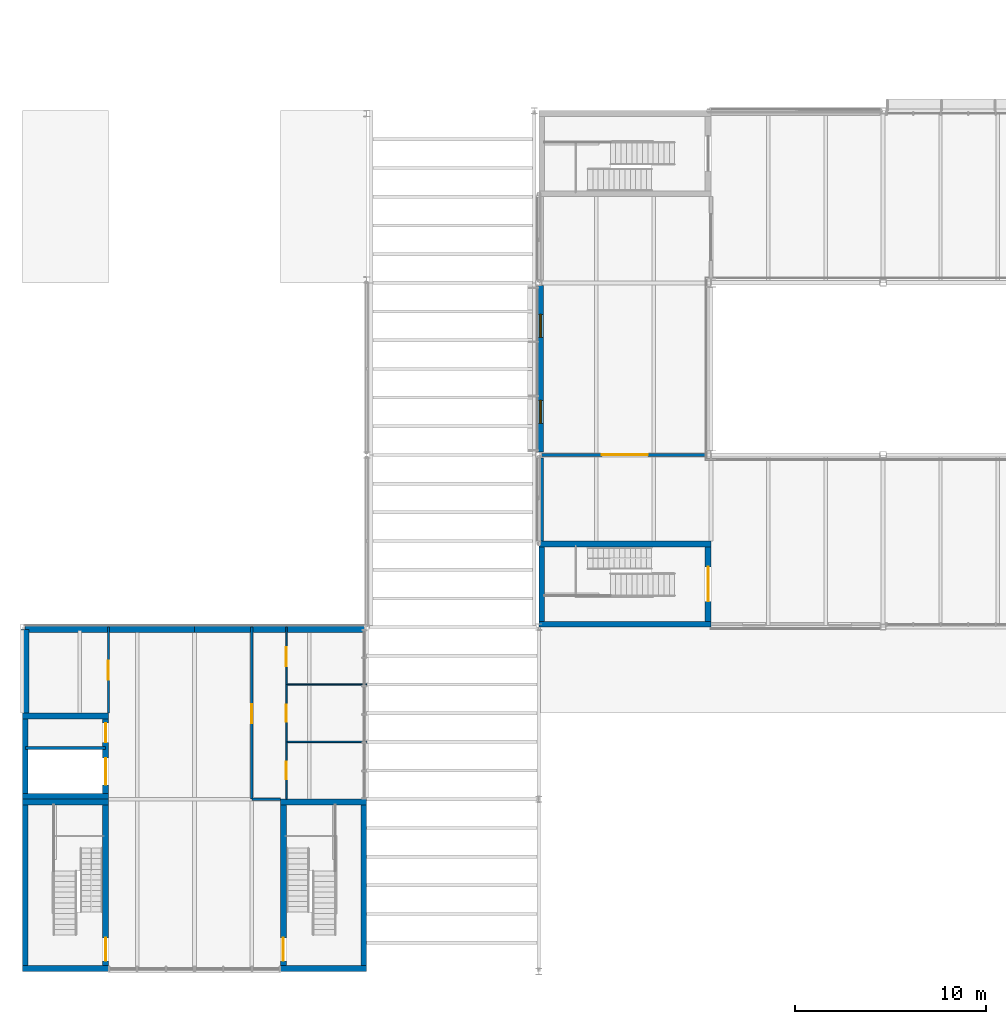
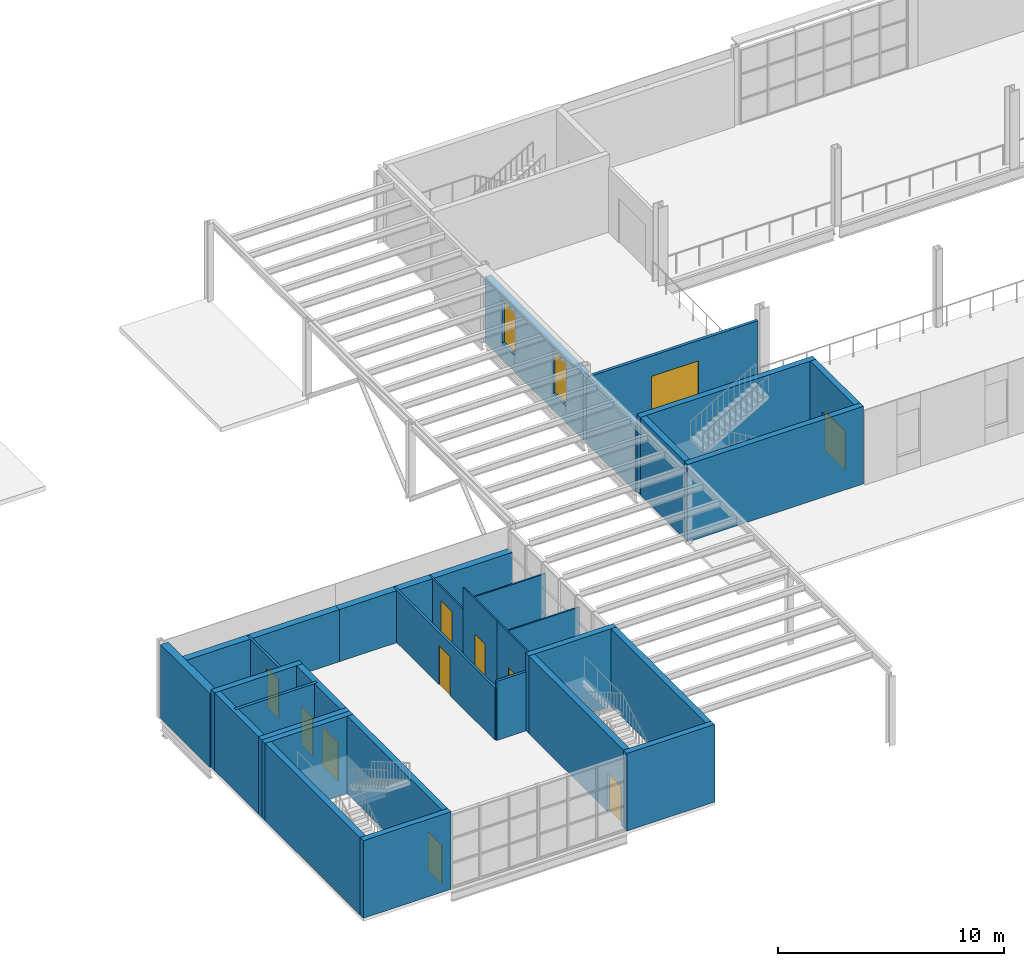
# One storey, part 33 of 57: 31 walls, 11 doors, 2 windows, 13 openings.
"""IFC4 building model written with IfcOpenShell, lengths in metres."""

import ifcopenshell
import ifcopenshell.guid

model = None  # the IFC model being written
_history = None  # IfcOwnerHistory: only IFC2X3 demands one
_inside = {}  # id of a spatial element -> (the spatial element, [elements in it])
_under = {}  # id of a project, library or spatial element -> (it, [spatial elements below it])
_declared = {}  # id of a project -> (the project, [libraries it declares])
_typed = {}  # id of a type object -> (the type object, [elements of that type])
_made_of = {}  # id of a material, layer set ... -> (it, [elements and type objects made of it])


def new_model(schema):
    """Start an empty IFC model of exactly this schema.

    Asked for "IFC4X3", IfcOpenShell would pick the latest addendum, in which some entities
    have other attributes; the version numbers below select the first issue.
    IFC2X3 requires an IfcOwnerHistory on every rooted entity: one is made here for all.
    """
    global model, _history
    if schema == "IFC4X3":
        model = ifcopenshell.file(schema_version=(4, 3, 0, 0))
    else:
        model = ifcopenshell.file(schema=schema)
    _inside.clear()
    _under.clear()
    _declared.clear()
    _typed.clear()
    _made_of.clear()
    _history = None
    if model.schema == "IFC2X3":
        org = make("IfcOrganization", Name="unknown")
        user = make(
            "IfcPersonAndOrganization",
            ThePerson=make("IfcPerson", FamilyName="unknown"),
            TheOrganization=org,
        )
        app = make(
            "IfcApplication",
            ApplicationDeveloper=org,
            Version="unknown",
            ApplicationFullName="unknown",
            ApplicationIdentifier="unknown",
        )
        _history = make(
            "IfcOwnerHistory",
            OwningUser=user,
            OwningApplication=app,
            ChangeAction="ADDED",
            CreationDate=0,
        )
    return model


def make(cls, **values):
    """One entity of the class cls with the attributes given. An attribute that is None is left unset."""
    return model.create_entity(
        cls, **{name: value for name, value in values.items() if value is not None}
    )


def rooted(cls, **values):
    """An entity with a GlobalId (a new one), such as an element, a storey or a relation."""
    return make(cls, GlobalId=ifcopenshell.guid.new(), OwnerHistory=_history, **values)


def si_unit(unit_type, name, prefix=None):
    """IfcSIUnit, for example si_unit("LENGTHUNIT", "METRE", prefix="MILLI")."""
    return make("IfcSIUnit", UnitType=unit_type, Prefix=prefix, Name=name)


def assignment(units):
    """IfcUnitAssignment: the units of a project."""
    return None if units is None else make("IfcUnitAssignment", Units=units)


def point(xyz):
    """IfcCartesianPoint."""
    return None if xyz is None else make("IfcCartesianPoint", Coordinates=xyz)


def direction(xyz):
    """IfcDirection."""
    return None if xyz is None else make("IfcDirection", DirectionRatios=xyz)


def frame(location, z_axis=None, x_axis=None):
    """IfcAxis2Placement3D, a coordinate frame: its origin and axes. An axis left out is left unset."""
    return make(
        "IfcAxis2Placement3D",
        Location=point(location),
        Axis=direction(z_axis),
        RefDirection=direction(x_axis),
    )


def frame_2d(location, x_axis=None):
    """IfcAxis2Placement2D, a coordinate frame in the plane: its origin and x axis."""
    return make(
        "IfcAxis2Placement2D", Location=point(location), RefDirection=direction(x_axis)
    )


def origin():
    """The frame at (0, 0, 0) with its axes left unset."""
    return frame((0.0, 0.0, 0.0))


def place(relative_to, where):
    """IfcLocalPlacement: puts the frame where relative to a parent placement (None: the world)."""
    return make(
        "IfcLocalPlacement", PlacementRelTo=relative_to, RelativePlacement=where
    )


def context(
    kind, dimensions, precision=None, world=None, true_north=None, identifier=None
):
    """IfcGeometricRepresentationContext, for example the 3D "Model" context."""
    return make(
        "IfcGeometricRepresentationContext",
        ContextIdentifier=identifier,
        ContextType=kind,
        CoordinateSpaceDimension=dimensions,
        Precision=precision,
        WorldCoordinateSystem=world,
        TrueNorth=true_north,
    )


def subcontext(parent, identifier, kind, view, scale=None):
    """IfcGeometricRepresentationSubContext, for example "Body" below "Model"."""
    return make(
        "IfcGeometricRepresentationSubContext",
        ContextIdentifier=identifier,
        ContextType=kind,
        ParentContext=parent,
        TargetScale=scale,
        TargetView=view,
    )


def project(units=None, contexts=None):
    """IfcProject with its units and contexts."""
    return rooted(
        "IfcProject",
        Name="project",
        RepresentationContexts=contexts,
        UnitsInContext=assignment(units),
    )


def spatial(cls, under=None, at=None, **own):
    """A site, building, storey or space (cls), placed at a placement, below another one or the project."""
    s = rooted(cls, ObjectPlacement=at, **own)
    if under is not None:
        _under.setdefault(under.id(), (under, []))[1].append(s)
    return s


def profile(cls, at=None, kind="AREA", **sizes):
    """A parametric profile (cls). Its sizes go by their IFC names, for example OverallWidth=200.0."""
    return make(cls, ProfileType=kind, Position=at, **sizes)


def rectangle(**sizes):
    """IfcRectangleProfileDef."""
    return profile("IfcRectangleProfileDef", **sizes)


def extrude(swept, where, along, depth):
    """IfcExtrudedAreaSolid: the profile swept, set in the frame where, extruded along a direction by depth."""
    return make(
        "IfcExtrudedAreaSolid",
        SweptArea=swept,
        Position=where,
        ExtrudedDirection=direction(along),
        Depth=depth,
    )


def shape(context_of_items, identifier, shape_type, items):
    """IfcShapeRepresentation: the items that make up one representation, for example the "Body"."""
    return make(
        "IfcShapeRepresentation",
        ContextOfItems=context_of_items,
        RepresentationIdentifier=identifier,
        RepresentationType=shape_type,
        Items=items,
    )


def material(Name=None, Category=None):
    """IfcMaterial."""
    return make("IfcMaterial", Name=Name, Category=Category)


def layer(
    of_material, thickness, ventilated=None, Name=None, Category=None, Priority=None
):
    """IfcMaterialLayer: one layer of a wall or slab, of a material (None: an air gap)."""
    return make(
        "IfcMaterialLayer",
        Material=of_material,
        LayerThickness=thickness,
        IsVentilated=ventilated,
        Name=Name,
        Category=Category,
        Priority=Priority,
    )


def layer_set(layers, Name=None):
    """IfcMaterialLayerSet."""
    return make("IfcMaterialLayerSet", MaterialLayers=layers, LayerSetName=Name)


def made_of(thing, what):
    """Note that an element or type object is made of a material, layer set ...; save() writes the relation."""
    if what is not None:
        _made_of.setdefault(what.id(), (what, []))[1].append(thing)
    return thing


def type_object(cls, material=None, **own):
    """A type object (cls), such as IfcWallType, which elements share."""
    return made_of(rooted(cls, **own), material)


def element(
    cls,
    number,
    at=None,
    inside=None,
    cuts=None,
    type_object=None,
    material=None,
    context=None,
    identifier="Body",
    shape_type=None,
    held_by="IfcProductDefinitionShape",
    body=None,
    shapes=None,
    **own,
):
    """One element of the class cls, such as IfcWall. Its Tag is "e" and its number.

    at: its placement. inside: the storey or other place that contains it. cuts: it is an
    opening in that element (IfcRelVoidsElement). A single representation is given by context,
    identifier, shape_type and body (its items); several are given by shapes. held_by: the class
    of the entity that holds the representations. save() writes the other relations.
    """
    e = rooted(cls, Tag="e%d" % number, ObjectPlacement=at, **own)
    if body is not None:
        shapes = [shape(context, identifier, shape_type, body)]
    if shapes is not None:
        e.Representation = make(held_by, Representations=shapes)
    if inside is not None:
        _inside.setdefault(inside.id(), (inside, []))[1].append(e)
    if cuts is not None:
        rooted(
            "IfcRelVoidsElement", RelatingBuildingElement=cuts, RelatedOpeningElement=e
        )
    if type_object is not None:
        _typed.setdefault(type_object.id(), (type_object, []))[1].append(e)
    return made_of(e, material)


def fill(opening, filler):
    """IfcRelFillsElement: the door or window that sits in an opening."""
    return rooted(
        "IfcRelFillsElement",
        RelatingOpeningElement=opening,
        RelatedBuildingElement=filler,
    )


def aggregate(whole, parts):
    """IfcRelAggregates: a whole, such as a stair, and the parts it consists of."""
    return rooted("IfcRelAggregates", RelatingObject=whole, RelatedObjects=parts)


def save(model, path):
    """Write the relations noted so far, then the file.

    IfcRelAggregates (storeys below a building ...), IfcRelContainedInSpatialStructure (elements
    in a storey), IfcRelDefinesByType, IfcRelAssociatesMaterial and IfcRelDeclares: one each for
    every whole, place, type object, material and project.
    """
    for whole, parts in _under.values():
        aggregate(whole, parts)
    for where, things in _inside.values():
        rooted(
            "IfcRelContainedInSpatialStructure",
            RelatedElements=things,
            RelatingStructure=where,
        )
    for kind, things in _typed.values():
        rooted("IfcRelDefinesByType", RelatedObjects=things, RelatingType=kind)
    for what, things in _made_of.values():
        rooted("IfcRelAssociatesMaterial", RelatedObjects=things, RelatingMaterial=what)
    for by, libraries in _declared.values():
        rooted("IfcRelDeclares", RelatingContext=by, RelatedDefinitions=libraries)
    model.write(path)


model = new_model("IFC4")

# Units and contexts
model_context = context("Model", 3, precision=1e-05, world=origin(), true_north=direction((0.0, 1.0)))
body_context = subcontext(model_context, "Body", "Model", "MODEL_VIEW")
ifc_project = project(units=[si_unit("LENGTHUNIT", "METRE"), si_unit("AREAUNIT", "SQUARE_METRE"), si_unit("VOLUMEUNIT", "CUBIC_METRE"), si_unit("PLANEANGLEUNIT", "RADIAN"), si_unit("MASSUNIT", "GRAM", prefix="KILO")], contexts=[model_context])

# Site, building, storey
site_placement = place(None, origin())
site = spatial("IfcSite", under=ifc_project, at=site_placement, CompositionType="ELEMENT")
building_placement = place(site_placement, origin())
building = spatial("IfcBuilding", under=site, at=building_placement, Name="Halyard Row Museum", CompositionType="ELEMENT")
storey_placement = place(building_placement, frame((0.0, 0.0, 5.0)))
storey = spatial("IfcBuildingStorey", under=building, at=storey_placement, Name="L01", CompositionType="ELEMENT", Elevation=5.0)

# Walls
ifc_material_1 = material(Name="Dark timber battens on acoustic double stud wall", Category="wood")
ifc_layer_1 = layer(ifc_material_1, 0.35009765625)
ifc_layer_set_1 = layer_set([ifc_layer_1], Name="Dark timber battens on acoustic double stud wall")
wall_type_1 = type_object("IfcWallType", Name="Acoustic wall 350 dark timber-clad", PredefinedType="SOLIDWALL", material=ifc_layer_set_1)
for number, where, z_axis, x_axis, name in (
    (1, (9.0, 17.885009765625, 0.0), (0.0, 0.0, 1.0), (1.0, 0.0, 0.0), "Wall WL01-813"),
    (2, (0.125, 17.885009765625, 0.0), (0.0, 0.0, 1.0), (1.0, 0.0, 0.0), "Wall WL01-814"),
):
    element("IfcWall", number, at=place(storey_placement, frame(where, z_axis=z_axis, x_axis=x_axis)), inside=storey, type_object=wall_type_1, Name=name, PredefinedType="SOLIDWALL", context=body_context, shape_type="SweptSolid", body=[
        extrude(rectangle(XDim=8.875, YDim=0.35009765625, at=frame_2d((4.4375, 0.0))), origin(), (0.0, 0.0, 1.0), 2.823974609375),
    ])
ifc_material_2 = material(Name="Concrete 40 MPa", Category="concrete")
ifc_layer_2 = layer(ifc_material_2, 0.300048828125)
ifc_layer_set_2 = layer_set([ifc_layer_2], Name="Concrete 40 MPa")
wall_type_2 = type_object("IfcWallType", Name="Core wall 300 lift shaft", PredefinedType="SOLIDWALL", material=ifc_layer_set_2)
wall_1_placement = place(storey_placement, frame((0.0, 9.14990234375, 0.0), z_axis=(0.0, 0.0, 1.0), x_axis=(1.0, 0.0, 0.0)))
element("IfcWall", 3, at=wall_1_placement, inside=storey, type_object=wall_type_2, Name="Core wall K6 S L01", PredefinedType="SOLIDWALL", context=body_context, shape_type="SweptSolid", body=[
    extrude(rectangle(XDim=4.5, YDim=0.300048828125, at=frame_2d((2.25, 0.0))), origin(), (0.0, 0.0, 1.0), 4.199951171875),
])

# Wall, openings, doors
wall_2_placement = place(storey_placement, frame((4.35009765625, 9.300048828125, 0.0), z_axis=(0.0, 0.0, 1.0), x_axis=(0.0, 1.0, 0.0)))
wall_2 = element("IfcWall", 4, at=wall_2_placement, inside=storey, type_object=wall_type_2, Name="Core wall K6 E L01", PredefinedType="SOLIDWALL", context=body_context, shape_type="SweptSolid", body=[
    extrude(rectangle(XDim=3.89990234375, YDim=0.300048828125, at=frame_2d((1.949951171875, 0.0))), origin(), (0.0, 0.0, 1.0), 4.199951171875),
])
opening_1_placement = place(wall_2_placement, frame((0.449951171875, 0.0, 0.0)))
opening_1 = element("IfcOpeningElement", 5, at=opening_1_placement, cuts=wall_2, Name="Opening LDPL2-L01", PredefinedType="OPENING", context=body_context, shape_type="SweptSolid", body=[
    extrude(rectangle(XDim=1.39990234375, YDim=2.10009765625, at=frame_2d((0.699951171875, 1.050048828125))), frame((0.0, 0.159912109375, 0.0), z_axis=(0.0, -1.0, 0.0), x_axis=(1.0, 0.0, 0.0)), (0.0, 0.0, 1.0), 0.320068359375),
])
opening_2_placement = place(wall_2_placement, frame((2.675048828125, 0.0, 0.0)))
opening_2 = element("IfcOpeningElement", 6, at=opening_2_placement, cuts=wall_2, Name="Opening DL01-014", PredefinedType="OPENING", context=body_context, shape_type="SweptSolid", body=[
    extrude(rectangle(XDim=1.0, YDim=2.10009765625, at=frame_2d((0.5, 1.050048828125))), frame((0.0, 0.159912109375, 0.0), z_axis=(0.0, -1.0, 0.0), x_axis=(1.0, 0.0, 0.0)), (0.0, 0.0, 1.0), 0.320068359375),
])
ifc_material_3 = material(Name="Stainless steel sliding car and landing doors", Category="steel")
door_type_1 = type_object("IfcDoorType", Name="Lift landing door 1400 x 2100", OperationType="SLIDING_TO_LEFT", PredefinedType="DOOR", material=ifc_material_3)
door_1_placement = place(opening_1_placement, origin())
door_1 = element("IfcDoor", 7, at=door_1_placement, inside=storey, type_object=door_type_1, Name="Landing door PL2 E L01", OperationType="SLIDING_TO_LEFT", OverallHeight=2.10009765625, OverallWidth=1.39990234375, PredefinedType="DOOR", context=body_context, shape_type="SweptSolid", body=[
    extrude(rectangle(XDim=1.39990234375, YDim=2.10009765625, at=frame_2d((0.699951171875, 1.050048828125))), frame((0.0, 0.02490234375, 0.0), z_axis=(0.0, -1.0, 0.0), x_axis=(1.0, 0.0, 0.0)), (0.0, 0.0, 1.0), 0.050048828125),
])
fill(opening_1, door_1)
ifc_material_4 = material(Name="Galvanised steel door leaf and frame", Category="steel")
door_type_2 = type_object("IfcDoorType", Name="Riser door 1000 x 2100 fire rated", OperationType="NOTDEFINED", PredefinedType="DOOR", material=ifc_material_4)
door_2_placement = place(opening_2_placement, frame((1.0, 0.0, 0.0), z_axis=(0.0, 0.0, 1.0), x_axis=(-1.0, 0.0, 0.0)))
door_2 = element("IfcDoor", 8, at=door_2_placement, inside=storey, type_object=door_type_2, Name="Riser door K6 L01", OperationType="SINGLE_SWING_RIGHT", OverallHeight=2.10009765625, OverallWidth=1.0, PredefinedType="DOOR", context=body_context, shape_type="SweptSolid", body=[
    extrude(rectangle(XDim=1.0, YDim=2.10009765625, at=frame_2d((0.5, 1.050048828125))), frame((0.0, 0.02490234375, 0.0), z_axis=(0.0, -1.0, 0.0), x_axis=(1.0, 0.0, 0.0)), (0.0, 0.0, 1.0), 0.050048828125),
])
fill(opening_2, door_2)

# Walls
wall_3_placement = place(storey_placement, frame((0.0, 13.35009765625, 0.0), z_axis=(0.0, 0.0, 1.0), x_axis=(1.0, 0.0, 0.0)))
element("IfcWall", 9, at=wall_3_placement, inside=storey, type_object=wall_type_2, Name="Core wall K6 N L01", PredefinedType="SOLIDWALL", context=body_context, shape_type="SweptSolid", body=[
    extrude(rectangle(XDim=4.5, YDim=0.300048828125, at=frame_2d((2.25, 0.0))), origin(), (0.0, 0.0, 1.0), 4.199951171875),
])
wall_4_placement = place(storey_placement, frame((0.14990234375, 9.300048828125, 0.0), z_axis=(0.0, 0.0, 1.0), x_axis=(0.0, 1.0, 0.0)))
element("IfcWall", 10, at=wall_4_placement, inside=storey, type_object=wall_type_2, Name="Core wall K6 W L01", PredefinedType="SOLIDWALL", context=body_context, shape_type="SweptSolid", body=[
    extrude(rectangle(XDim=3.89990234375, YDim=0.300048828125, at=frame_2d((1.949951171875, 0.0))), origin(), (0.0, 0.0, 1.0), 4.199951171875),
])
ifc_material_5 = material(Name="Concrete 40 MPa", Category="concrete")
ifc_layer_3 = layer(ifc_material_5, 0.300048828125)
ifc_layer_set_3 = layer_set([ifc_layer_3], Name="Concrete 40 MPa")
wall_type_3 = type_object("IfcWallType", Name="Exitway wall 300 reinforced concrete", PredefinedType="SOLIDWALL", material=ifc_layer_set_3)
wall_5_placement = place(storey_placement, frame((27.0, 18.14990234375, 0.0), z_axis=(0.0, 0.0, 1.0), x_axis=(1.0, 0.0, 0.0)))
element("IfcWall", 11, at=wall_5_placement, inside=storey, type_object=wall_type_3, Name="Core wall K1D S L01", PredefinedType="SOLIDWALL", context=body_context, shape_type="SweptSolid", body=[
    extrude(rectangle(XDim=9.0, YDim=0.300048828125, at=frame_2d((4.5, 0.0))), origin(), (0.0, 0.0, 1.0), 4.199951171875),
])

# Wall, opening, door
wall_6_placement = place(storey_placement, frame((35.85009765625, 18.300048828125, 0.0), z_axis=(0.0, 0.0, 1.0), x_axis=(0.0, 1.0, 0.0)))
wall_6 = element("IfcWall", 12, at=wall_6_placement, inside=storey, type_object=wall_type_3, Name="Core wall K1D E L01", PredefinedType="SOLIDWALL", context=body_context, shape_type="SweptSolid", body=[
    extrude(rectangle(XDim=3.89990234375, YDim=0.300048828125, at=frame_2d((1.949951171875, 0.0))), origin(), (0.0, 0.0, 1.0), 4.199951171875),
])
opening_3_placement = place(wall_6_placement, frame((1.050048828125, 0.0, 0.0)))
opening_3 = element("IfcOpeningElement", 13, at=opening_3_placement, cuts=wall_6, Name="Opening DL01-004", PredefinedType="OPENING", context=body_context, shape_type="SweptSolid", body=[
    extrude(rectangle(XDim=1.800048828125, YDim=2.10009765625, at=frame_2d((0.89990234375, 1.050048828125))), frame((0.0, 0.159912109375, 0.0), z_axis=(0.0, -1.0, 0.0), x_axis=(1.0, 0.0, 0.0)), (0.0, 0.0, 1.0), 0.320068359375),
])
ifc_material_6 = material(Name="Fire-resisting timber door leaf and steel frame", Category="steel")
door_type_3 = type_object("IfcDoorType", Name="Exitway door 1800 x 2100 fire rated", OperationType="NOTDEFINED", PredefinedType="DOOR", material=ifc_material_6)
door_3_placement = place(opening_3_placement, origin())
door_3 = element("IfcDoor", 14, at=door_3_placement, inside=storey, type_object=door_type_3, Name="Exitway door K1D L01", OperationType="DOUBLE_DOOR_SINGLE_SWING", OverallHeight=2.10009765625, OverallWidth=1.800048828125, PredefinedType="DOOR", context=body_context, shape_type="SweptSolid", body=[
    extrude(rectangle(XDim=1.800048828125, YDim=2.10009765625, at=frame_2d((0.89990234375, 1.050048828125))), frame((0.0, 0.02490234375, 0.0), z_axis=(0.0, -1.0, 0.0), x_axis=(1.0, 0.0, 0.0)), (0.0, 0.0, 1.0), 0.050048828125),
])
fill(opening_3, door_3)

# Walls
wall_7_placement = place(storey_placement, frame((27.0, 22.35009765625, 0.0), z_axis=(0.0, 0.0, 1.0), x_axis=(1.0, 0.0, 0.0)))
element("IfcWall", 15, at=wall_7_placement, inside=storey, type_object=wall_type_3, Name="Core wall K1D N L01", PredefinedType="SOLIDWALL", context=body_context, shape_type="SweptSolid", body=[
    extrude(rectangle(XDim=9.0, YDim=0.300048828125, at=frame_2d((4.5, 0.0))), origin(), (0.0, 0.0, 1.0), 4.199951171875),
])
wall_8_placement = place(storey_placement, frame((27.14990234375, 18.300048828125, 0.0), z_axis=(0.0, 0.0, 1.0), x_axis=(0.0, 1.0, 0.0)))
element("IfcWall", 16, at=wall_8_placement, inside=storey, type_object=wall_type_3, Name="Core wall K1D W L01", PredefinedType="SOLIDWALL", context=body_context, shape_type="SweptSolid", body=[
    extrude(rectangle(XDim=3.89990234375, YDim=0.300048828125, at=frame_2d((1.949951171875, 0.0))), origin(), (0.0, 0.0, 1.0), 4.199951171875),
])
wall_9_placement = place(storey_placement, frame((13.5, 0.14990234375, 0.0), z_axis=(0.0, 0.0, 1.0), x_axis=(1.0, 0.0, 0.0)))
element("IfcWall", 17, at=wall_9_placement, inside=storey, type_object=wall_type_3, Name="Core wall K3E S L01", PredefinedType="SOLIDWALL", context=body_context, shape_type="SweptSolid", body=[
    extrude(rectangle(XDim=4.5, YDim=0.300048828125, at=frame_2d((2.25, 0.0))), origin(), (0.0, 0.0, 1.0), 4.199951171875),
])
wall_10_placement = place(storey_placement, frame((17.85009765625, 0.300048828125, 0.0), z_axis=(0.0, 0.0, 1.0), x_axis=(0.0, 1.0, 0.0)))
element("IfcWall", 18, at=wall_10_placement, inside=storey, type_object=wall_type_3, Name="Core wall K3E E L01", PredefinedType="SOLIDWALL", context=body_context, shape_type="SweptSolid", body=[
    extrude(rectangle(XDim=8.39990234375, YDim=0.300048828125, at=frame_2d((4.199951171875, 0.0))), origin(), (0.0, 0.0, 1.0), 4.199951171875),
])
wall_11_placement = place(storey_placement, frame((13.5, 8.85009765625, 0.0), z_axis=(0.0, 0.0, 1.0), x_axis=(1.0, 0.0, 0.0)))
element("IfcWall", 19, at=wall_11_placement, inside=storey, type_object=wall_type_3, Name="Core wall K3E N L01", PredefinedType="SOLIDWALL", context=body_context, shape_type="SweptSolid", body=[
    extrude(rectangle(XDim=4.5, YDim=0.300048828125, at=frame_2d((2.25, 0.0))), origin(), (0.0, 0.0, 1.0), 4.199951171875),
])

# Wall, opening, door
wall_12_placement = place(storey_placement, frame((13.64990234375, 0.300048828125, 0.0), z_axis=(0.0, 0.0, 1.0), x_axis=(0.0, 1.0, 0.0)))
wall_12 = element("IfcWall", 20, at=wall_12_placement, inside=storey, type_object=wall_type_3, Name="Core wall K3E W L01", PredefinedType="SOLIDWALL", context=body_context, shape_type="SweptSolid", body=[
    extrude(rectangle(XDim=8.39990234375, YDim=0.300048828125, at=frame_2d((4.199951171875, 0.0))), origin(), (0.0, 0.0, 1.0), 4.199951171875),
])
opening_4_placement = place(wall_12_placement, frame((0.25, 0.0, 0.0)))
opening_4 = element("IfcOpeningElement", 21, at=opening_4_placement, cuts=wall_12, Name="Opening DL01-008", PredefinedType="OPENING", context=body_context, shape_type="SweptSolid", body=[
    extrude(rectangle(XDim=1.199951171875, YDim=2.10009765625, at=frame_2d((0.60009765625, 1.050048828125))), frame((0.0, 0.159912109375, 0.0), z_axis=(0.0, -1.0, 0.0), x_axis=(1.0, 0.0, 0.0)), (0.0, 0.0, 1.0), 0.320068359375),
])
ifc_material_7 = material(Name="Fire-resisting timber door leaf and steel frame", Category="steel")
door_type_4 = type_object("IfcDoorType", Name="Exitway door 1200 x 2100 fire rated", OperationType="NOTDEFINED", PredefinedType="DOOR", material=ifc_material_7)
door_4_placement = place(opening_4_placement, frame((1.199951171875, 0.0, 0.0), z_axis=(0.0, 0.0, 1.0), x_axis=(-1.0, 0.0, 0.0)))
door_4 = element("IfcDoor", 22, at=door_4_placement, inside=storey, type_object=door_type_4, Name="Exitway door K3E L01", OperationType="SINGLE_SWING_LEFT", OverallHeight=2.10009765625, OverallWidth=1.199951171875, PredefinedType="DOOR", context=body_context, shape_type="SweptSolid", body=[
    extrude(rectangle(XDim=1.199951171875, YDim=2.10009765625, at=frame_2d((0.60009765625, 1.050048828125))), frame((0.0, 0.02490234375, 0.0), z_axis=(0.0, -1.0, 0.0), x_axis=(1.0, 0.0, 0.0)), (0.0, 0.0, 1.0), 0.050048828125),
])
fill(opening_4, door_4)

# Wall
wall_13_placement = place(storey_placement, frame((0.0, 0.14990234375, 0.0), z_axis=(0.0, 0.0, 1.0), x_axis=(1.0, 0.0, 0.0)))
element("IfcWall", 23, at=wall_13_placement, inside=storey, type_object=wall_type_3, Name="Core wall K3S S L01", PredefinedType="SOLIDWALL", context=body_context, shape_type="SweptSolid", body=[
    extrude(rectangle(XDim=4.5, YDim=0.300048828125, at=frame_2d((2.25, 0.0))), origin(), (0.0, 0.0, 1.0), 4.199951171875),
])

# Wall, opening, door
wall_14_placement = place(storey_placement, frame((4.35009765625, 0.300048828125, 0.0), z_axis=(0.0, 0.0, 1.0), x_axis=(0.0, 1.0, 0.0)))
wall_14 = element("IfcWall", 24, at=wall_14_placement, inside=storey, type_object=wall_type_3, Name="Core wall K3S E L01", PredefinedType="SOLIDWALL", context=body_context, shape_type="SweptSolid", body=[
    extrude(rectangle(XDim=8.39990234375, YDim=0.300048828125, at=frame_2d((4.199951171875, 0.0))), origin(), (0.0, 0.0, 1.0), 4.199951171875),
])
opening_5_placement = place(wall_14_placement, frame((0.25, 0.0, 0.0)))
opening_5 = element("IfcOpeningElement", 25, at=opening_5_placement, cuts=wall_14, Name="Opening DL01-009", PredefinedType="OPENING", context=body_context, shape_type="SweptSolid", body=[
    extrude(rectangle(XDim=1.199951171875, YDim=2.10009765625, at=frame_2d((0.60009765625, 1.050048828125))), frame((0.0, 0.159912109375, 0.0), z_axis=(0.0, -1.0, 0.0), x_axis=(1.0, 0.0, 0.0)), (0.0, 0.0, 1.0), 0.320068359375),
])
door_5_placement = place(opening_5_placement, origin())
door_5 = element("IfcDoor", 26, at=door_5_placement, inside=storey, type_object=door_type_4, Name="Exitway door K3S L01", OperationType="SINGLE_SWING_RIGHT", OverallHeight=2.10009765625, OverallWidth=1.199951171875, PredefinedType="DOOR", context=body_context, shape_type="SweptSolid", body=[
    extrude(rectangle(XDim=1.199951171875, YDim=2.10009765625, at=frame_2d((0.60009765625, 1.050048828125))), frame((0.0, 0.02490234375, 0.0), z_axis=(0.0, -1.0, 0.0), x_axis=(1.0, 0.0, 0.0)), (0.0, 0.0, 1.0), 0.050048828125),
])
fill(opening_5, door_5)

# Walls
wall_15_placement = place(storey_placement, frame((0.0, 8.85009765625, 0.0), z_axis=(0.0, 0.0, 1.0), x_axis=(1.0, 0.0, 0.0)))
element("IfcWall", 27, at=wall_15_placement, inside=storey, type_object=wall_type_3, Name="Core wall K3S N L01", PredefinedType="SOLIDWALL", context=body_context, shape_type="SweptSolid", body=[
    extrude(rectangle(XDim=4.5, YDim=0.300048828125, at=frame_2d((2.25, 0.0))), origin(), (0.0, 0.0, 1.0), 4.199951171875),
])
wall_16_placement = place(storey_placement, frame((0.14990234375, 0.300048828125, 0.0), z_axis=(0.0, 0.0, 1.0), x_axis=(0.0, 1.0, 0.0)))
element("IfcWall", 28, at=wall_16_placement, inside=storey, type_object=wall_type_3, Name="Core wall K3S W L01", PredefinedType="SOLIDWALL", context=body_context, shape_type="SweptSolid", body=[
    extrude(rectangle(XDim=8.39990234375, YDim=0.300048828125, at=frame_2d((4.199951171875, 0.0))), origin(), (0.0, 0.0, 1.0), 4.199951171875),
])

# Wall, opening, door
ifc_material_8 = material(Name="Plasterboard on steel studs with mineral wool", Category="steel")
ifc_layer_4 = layer(ifc_material_8, 0.14990234375)
ifc_layer_set_4 = layer_set([ifc_layer_4], Name="Plasterboard on steel studs with mineral wool")
wall_type_4 = type_object("IfcWallType", Name="Gallery wall 150", PredefinedType="PARTITIONING", material=ifc_layer_set_4)
wall_17_placement = place(storey_placement, frame((27.14990234375, 27.0, 0.0), z_axis=(0.0, 0.0, 1.0), x_axis=(1.0, 0.0, 0.0)))
wall_17 = element("IfcWall", 29, at=wall_17_placement, inside=storey, type_object=wall_type_4, Name="Partition Permanent Gallery Pacific / Permanent Gallery Harbour", PredefinedType="PARTITIONING", context=body_context, shape_type="SweptSolid", body=[
    extrude(rectangle(XDim=8.60009765625, YDim=0.14990234375, at=frame_2d((4.300048828125, 0.0))), origin(), (0.0, 0.0, 1.0), 3.501953125),
])
opening_6_placement = place(wall_17_placement, frame((3.14990234375, 0.0, 0.0)))
opening_6 = element("IfcOpeningElement", 30, at=opening_6_placement, cuts=wall_17, Name="Opening DL01-015", PredefinedType="OPENING", context=body_context, shape_type="SweptSolid", body=[
    extrude(rectangle(XDim=2.39990234375, YDim=2.39990234375, at=frame_2d((1.199951171875, 1.199951171875))), frame((0.0, 0.0849609375, 0.0), z_axis=(0.0, -1.0, 0.0), x_axis=(1.0, 0.0, 0.0)), (0.0, 0.0, 1.0), 0.169921875),
])
ifc_material_9 = material(Name="Timber veneered door leaf and softwood frame", Category="wood")
door_type_5 = type_object("IfcDoorType", Name="Double door 2400 x 2400 gallery", OperationType="NOTDEFINED", PredefinedType="DOOR", material=ifc_material_9)
door_6_placement = place(opening_6_placement, frame((2.39990234375, 0.0, 0.0), z_axis=(0.0, 0.0, 1.0), x_axis=(-1.0, 0.0, 0.0)))
door_6 = element("IfcDoor", 31, at=door_6_placement, inside=storey, type_object=door_type_5, Name="Door Permanent Gallery Pacific to Permanent Gallery Harbour", OperationType="DOUBLE_DOOR_SINGLE_SWING", OverallHeight=2.39990234375, OverallWidth=2.39990234375, PredefinedType="DOOR", context=body_context, shape_type="SweptSolid", body=[
    extrude(rectangle(XDim=2.39990234375, YDim=2.39990234375, at=frame_2d((1.199951171875, 1.199951171875))), frame((0.0, 0.02490234375, 0.0), z_axis=(0.0, -1.0, 0.0), x_axis=(1.0, 0.0, 0.0)), (0.0, 0.0, 1.0), 0.050048828125),
])
fill(opening_6, door_6)

# Walls
ifc_material_10 = material(Name="Concrete 40 MPa", Category="concrete")
ifc_layer_5 = layer(ifc_material_10, 0.14990234375)
ifc_layer_set_5 = layer_set([ifc_layer_5], Name="Concrete 40 MPa")
wall_type_5 = type_object("IfcWallType", Name="Lift shaft divider 150", PredefinedType="SOLIDWALL", material=ifc_layer_set_5)
wall_18_placement = place(storey_placement, frame((0.14990234375, 11.675048828125, 0.0), z_axis=(0.0, 0.0, 1.0), x_axis=(1.0, 0.0, 0.0)))
element("IfcWall", 32, at=wall_18_placement, inside=storey, type_object=wall_type_5, Name="Shaft divider PL2 L01", PredefinedType="SOLIDWALL", context=body_context, shape_type="SweptSolid", body=[
    extrude(rectangle(XDim=4.2001953125, YDim=0.14990234375, at=frame_2d((2.10009765625, 0.0))), origin(), (0.0, 0.0, 1.0), 4.199951171875),
])
ifc_material_11 = material(Name="Concrete 40 MPa", Category="concrete")
ifc_layer_6 = layer(ifc_material_11, 0.39990234375)
ifc_layer_set_6 = layer_set([ifc_layer_6], Name="Concrete 40 MPa")
wall_type_6 = type_object("IfcWallType", Name="Party wall 400 reinforced concrete", PredefinedType="SOLIDWALL", material=ifc_layer_set_6)
wall_19_placement = place(storey_placement, frame((0.139892578125, 13.5, 0.0), z_axis=(0.0, 0.0, 1.0), x_axis=(0.0, 1.0, 0.0)))
element("IfcWall", 33, at=wall_19_placement, inside=storey, type_object=wall_type_6, Name="Wall WL01-812", PredefinedType="SOLIDWALL", context=body_context, shape_type="SweptSolid", body=[
    extrude(rectangle(XDim=4.375, YDim=0.39990234375, at=frame_2d((2.1875, 0.0))), origin(), (0.0, 0.0, 1.0), 4.0),
])

# Wall, openings, windows
ifc_material_12 = material(Name="Fire-retardant timber rainscreen on insulated steel-stud wall", Category="steel")
ifc_layer_7 = layer(ifc_material_12, 0.300048828125)
ifc_layer_set_7 = layer_set([ifc_layer_7], Name="Fire-retardant timber rainscreen on insulated steel-stud wall")
wall_type_7 = type_object("IfcWallType", Name="Rainscreen wall 300 timber-clad", PredefinedType="SOLIDWALL", material=ifc_layer_set_7)
wall_20_placement = place(storey_placement, frame((27.090087890625, 27.14990234375, 0.0), z_axis=(0.0, 0.0, 1.0), x_axis=(0.0, 1.0, 0.0)))
wall_20 = element("IfcWall", 34, at=wall_20_placement, inside=storey, type_object=wall_type_7, Name="Wall WL01-807", PredefinedType="SOLIDWALL", context=body_context, shape_type="SweptSolid", body=[
    extrude(rectangle(XDim=8.7001953125, YDim=0.300048828125, at=frame_2d((4.35009765625, 0.0))), origin(), (0.0, 0.0, 1.0), 3.57763671875),
])
opening_7_placement = place(wall_20_placement, frame((1.5, 0.0, 0.89990234375)))
opening_7 = element("IfcOpeningElement", 35, at=opening_7_placement, cuts=wall_20, Name="Opening WNL01-804", PredefinedType="OPENING", context=body_context, shape_type="SweptSolid", body=[
    extrude(rectangle(XDim=1.199951171875, YDim=2.300048828125, at=frame_2d((0.60009765625, 1.14990234375))), frame((0.0, 0.159912109375, 0.0), z_axis=(0.0, -1.0, 0.0), x_axis=(1.0, 0.0, 0.0)), (0.0, 0.0, 1.0), 0.320068359375),
])
opening_8_placement = place(wall_20_placement, frame((6.0, 0.0, 0.89990234375)))
opening_8 = element("IfcOpeningElement", 36, at=opening_8_placement, cuts=wall_20, Name="Opening WNL01-805", PredefinedType="OPENING", context=body_context, shape_type="SweptSolid", body=[
    extrude(rectangle(XDim=1.199951171875, YDim=2.300048828125, at=frame_2d((0.60009765625, 1.14990234375))), frame((0.0, 0.159912109375, 0.0), z_axis=(0.0, -1.0, 0.0), x_axis=(1.0, 0.0, 0.0)), (0.0, 0.0, 1.0), 0.320068359375),
])
ifc_material_13 = material(Name="Double glazed unit, low-emissivity", Category="glass")
window_type = type_object("IfcWindowType", Name="Window WN1 1200 x 2300", PartitioningType="SINGLE_PANEL", PredefinedType="WINDOW", material=ifc_material_13)
window_1_placement = place(opening_7_placement, origin())
window_1 = element("IfcWindow", 37, at=window_1_placement, inside=storey, type_object=window_type, Name="Window WNL01-804", OverallHeight=2.300048828125, OverallWidth=1.199951171875, PartitioningType="SINGLE_PANEL", PredefinedType="WINDOW", context=body_context, shape_type="SweptSolid", body=[
    extrude(rectangle(XDim=1.199951171875, YDim=2.300048828125, at=frame_2d((0.60009765625, 1.14990234375))), frame((0.0, 0.030029296875, 0.0), z_axis=(0.0, -1.0, 0.0), x_axis=(1.0, 0.0, 0.0)), (0.0, 0.0, 1.0), 0.06005859375),
])
fill(opening_7, window_1)
window_2_placement = place(opening_8_placement, origin())
window_2 = element("IfcWindow", 38, at=window_2_placement, inside=storey, type_object=window_type, Name="Window WNL01-805", OverallHeight=2.300048828125, OverallWidth=1.199951171875, PartitioningType="SINGLE_PANEL", PredefinedType="WINDOW", context=body_context, shape_type="SweptSolid", body=[
    extrude(rectangle(XDim=1.199951171875, YDim=2.300048828125, at=frame_2d((0.60009765625, 1.14990234375))), frame((0.0, 0.030029296875, 0.0), z_axis=(0.0, -1.0, 0.0), x_axis=(1.0, 0.0, 0.0)), (0.0, 0.0, 1.0), 0.06005859375),
])
fill(opening_8, window_2)

# Wall
wall_21_placement = place(storey_placement, frame((27.090087890625, 22.5, 0.0), z_axis=(0.0, 0.0, 1.0), x_axis=(0.0, 1.0, 0.0)))
element("IfcWall", 39, at=wall_21_placement, inside=storey, type_object=wall_type_7, Name="Wall WL01-808", PredefinedType="SOLIDWALL", context=body_context, shape_type="SweptSolid", body=[
    extrude(rectangle(XDim=4.35009765625, YDim=0.300048828125, at=frame_2d((2.175048828125, 0.0))), origin(), (0.0, 0.0, 1.0), 3.57763671875),
])

# Wall, opening, door
ifc_material_14 = material(Name="Plasterboard on steel studs with mineral wool", Category="steel")
ifc_layer_8 = layer(ifc_material_14, 0.125)
ifc_layer_set_8 = layer_set([ifc_layer_8], Name="Plasterboard on steel studs with mineral wool")
wall_type_8 = type_object("IfcWallType", Name="Stud partition 125", PredefinedType="PARTITIONING", material=ifc_layer_set_8)
wall_22_placement = place(storey_placement, frame((4.5, 13.5, 0.0), z_axis=(0.0, 0.0, 1.0), x_axis=(0.0, 1.0, 0.0)))
wall_22 = element("IfcWall", 40, at=wall_22_placement, inside=storey, type_object=wall_type_8, Name="Partition Performance Upper Foyer / Projection and Control", PredefinedType="PARTITIONING", context=body_context, shape_type="SweptSolid", body=[
    extrude(rectangle(XDim=4.5, YDim=0.125, at=frame_2d((2.25, 0.0))), origin(), (0.0, 0.0, 1.0), 2.823974609375),
])
opening_9_placement = place(wall_22_placement, frame((1.75, 0.0, 0.0)))
opening_9 = element("IfcOpeningElement", 41, at=opening_9_placement, cuts=wall_22, Name="Opening DL01-025", PredefinedType="OPENING", context=body_context, shape_type="SweptSolid", body=[
    extrude(rectangle(XDim=1.0, YDim=2.10009765625, at=frame_2d((0.5, 1.050048828125))), frame((0.0, 0.072509765625, 0.0), z_axis=(0.0, -1.0, 0.0), x_axis=(1.0, 0.0, 0.0)), (0.0, 0.0, 1.0), 0.14501953125),
])
ifc_material_15 = material(Name="Timber veneered door leaf and softwood frame", Category="wood")
door_type_6 = type_object("IfcDoorType", Name="Single door 1000 x 2100", OperationType="NOTDEFINED", PredefinedType="DOOR", material=ifc_material_15)
door_7_placement = place(opening_9_placement, origin())
door_7 = element("IfcDoor", 42, at=door_7_placement, inside=storey, type_object=door_type_6, Name="Door Projection and Control to Performance Upper Foyer", OperationType="SINGLE_SWING_RIGHT", OverallHeight=2.10009765625, OverallWidth=1.0, PredefinedType="DOOR", context=body_context, shape_type="SweptSolid", body=[
    extrude(rectangle(XDim=1.0, YDim=2.10009765625, at=frame_2d((0.5, 1.050048828125))), frame((0.0, 0.02490234375, 0.0), z_axis=(0.0, -1.0, 0.0), x_axis=(1.0, 0.0, 0.0)), (0.0, 0.0, 1.0), 0.050048828125),
])
fill(opening_9, door_7)

ifc_material_16 = material(Name="Plasterboard on steel studs with mineral wool", Category="steel")
ifc_layer_9 = layer(ifc_material_16, 0.125)
ifc_layer_set_9 = layer_set([ifc_layer_9], Name="Plasterboard on steel studs with mineral wool")
wall_type_9 = type_object("IfcWallType", Name="Stud partition 125 fire rated", PredefinedType="PARTITIONING", material=ifc_layer_set_9)
wall_23_placement = place(storey_placement, frame((12.0, 9.0, 0.0), z_axis=(0.0, 0.0, 1.0), x_axis=(0.0, 1.0, 0.0)))
wall_23 = element("IfcWall", 43, at=wall_23_placement, inside=storey, type_object=wall_type_9, Name="Partition Performance Upper Foyer / WC Lobby L01", PredefinedType="PARTITIONING", context=body_context, shape_type="SweptSolid", body=[
    extrude(rectangle(XDim=9.0, YDim=0.125, at=frame_2d((4.5, 0.0))), origin(), (0.0, 0.0, 1.0), 2.823974609375),
])
opening_10_placement = place(wall_23_placement, frame((3.972412109375, 0.0, 0.0)))
opening_10 = element("IfcOpeningElement", 44, at=opening_10_placement, cuts=wall_23, Name="Opening DL01-026", PredefinedType="OPENING", context=body_context, shape_type="SweptSolid", body=[
    extrude(rectangle(XDim=1.0, YDim=2.10009765625, at=frame_2d((0.5, 1.050048828125))), frame((0.0, 0.072509765625, 0.0), z_axis=(0.0, -1.0, 0.0), x_axis=(1.0, 0.0, 0.0)), (0.0, 0.0, 1.0), 0.14501953125),
])
ifc_material_17 = material(Name="Timber veneered door leaf and softwood frame", Category="wood")
door_type_7 = type_object("IfcDoorType", Name="Single door 1000 x 2100 fire rated", OperationType="NOTDEFINED", PredefinedType="DOOR", material=ifc_material_17)
door_8_placement = place(opening_10_placement, frame((1.0, 0.0, 0.0), z_axis=(0.0, 0.0, 1.0), x_axis=(-1.0, 0.0, 0.0)))
door_8 = element("IfcDoor", 45, at=door_8_placement, inside=storey, type_object=door_type_7, Name="Door WC Lobby L01 to Performance Upper Foyer", OperationType="SINGLE_SWING_RIGHT", OverallHeight=2.10009765625, OverallWidth=1.0, PredefinedType="DOOR", context=body_context, shape_type="SweptSolid", body=[
    extrude(rectangle(XDim=1.0, YDim=2.10009765625, at=frame_2d((0.5, 1.050048828125))), frame((0.0, 0.02490234375, 0.0), z_axis=(0.0, -1.0, 0.0), x_axis=(1.0, 0.0, 0.0)), (0.0, 0.0, 1.0), 0.050048828125),
])
fill(opening_10, door_8)

# Walls
wall_24_placement = place(storey_placement, frame((12.0, 9.0, 0.0), z_axis=(0.0, 0.0, 1.0), x_axis=(1.0, 0.0, 0.0)))
element("IfcWall", 46, at=wall_24_placement, inside=storey, type_object=wall_type_9, Name="Partition Performance Upper Foyer / WC Lobby L01", PredefinedType="PARTITIONING", context=body_context, shape_type="SweptSolid", body=[
    extrude(rectangle(XDim=1.5, YDim=0.125, at=frame_2d((0.75, 0.0))), origin(), (0.0, 0.0, 1.0), 3.2080078125),
])
ifc_material_18 = material(Name="Plasterboard on steel studs with mineral wool", Category="steel")
ifc_layer_10 = layer(ifc_material_18, 0.074951171875)
ifc_layer_set_10 = layer_set([ifc_layer_10], Name="Plasterboard on steel studs with mineral wool")
wall_type_10 = type_object("IfcWallType", Name="WC cubicle partition 75", PredefinedType="PARTITIONING", material=ifc_layer_set_10)
for number, where, z_axis, x_axis, name in (
    (47, (13.800048828125, 12.0, 0.0), (0.0, 0.0, 1.0), (1.0, 0.0, 0.0), "Partition WC Women L01 / WC Men L01"),
    (48, (13.800048828125, 15.0, 0.0), (0.0, 0.0, 1.0), (1.0, 0.0, 0.0), "Partition WC Men L01 / Accessible WC L01"),
):
    element("IfcWall", number, at=place(storey_placement, frame(where, z_axis=z_axis, x_axis=x_axis)), inside=storey, type_object=wall_type_10, Name=name, PredefinedType="PARTITIONING", context=body_context, shape_type="SweptSolid", body=[
        extrude(rectangle(XDim=4.199951171875, YDim=0.074951171875, at=frame_2d((2.10009765625, 0.0))), origin(), (0.0, 0.0, 1.0), 3.300048828125),
    ])

# Wall, opening, door
ifc_material_19 = material(Name="Plasterboard on steel studs with mineral wool", Category="steel")
ifc_layer_11 = layer(ifc_material_19, 0.074951171875)
ifc_layer_set_11 = layer_set([ifc_layer_11], Name="Plasterboard on steel studs with mineral wool")
wall_type_11 = type_object("IfcWallType", Name="WC cubicle partition 75 fire rated", PredefinedType="PARTITIONING", material=ifc_layer_set_11)
wall_25_placement = place(storey_placement, frame((13.800048828125, 9.0, 0.0), z_axis=(0.0, 0.0, 1.0), x_axis=(0.0, 1.0, 0.0)))
wall_25 = element("IfcWall", 49, at=wall_25_placement, inside=storey, type_object=wall_type_11, Name="Partition WC Lobby L01 / WC Women L01", PredefinedType="PARTITIONING", context=body_context, shape_type="SweptSolid", body=[
    extrude(rectangle(XDim=3.0, YDim=0.074951171875, at=frame_2d((1.5, 0.0))), origin(), (0.0, 0.0, 1.0), 4.0),
])
opening_11_placement = place(wall_25_placement, frame((1.050048828125, 0.0, 0.0)))
opening_11 = element("IfcOpeningElement", 50, at=opening_11_placement, cuts=wall_25, Name="Opening DL01-027", PredefinedType="OPENING", context=body_context, shape_type="SweptSolid", body=[
    extrude(rectangle(XDim=0.89990234375, YDim=2.10009765625, at=frame_2d((0.449951171875, 1.050048828125))), frame((0.0, 0.04736328125, 0.0), z_axis=(0.0, -1.0, 0.0), x_axis=(1.0, 0.0, 0.0)), (0.0, 0.0, 1.0), 0.094970703125),
])
ifc_material_20 = material(Name="Timber veneered door leaf and softwood frame", Category="wood")
door_type_8 = type_object("IfcDoorType", Name="Single door 900 x 2100 fire rated", OperationType="NOTDEFINED", PredefinedType="DOOR", material=ifc_material_20)
door_9_placement = place(opening_11_placement, frame((0.89990234375, 0.0, 0.0), z_axis=(0.0, 0.0, 1.0), x_axis=(-1.0, 0.0, 0.0)))
door_9 = element("IfcDoor", 51, at=door_9_placement, inside=storey, type_object=door_type_8, Name="Door WC Women L01 to WC Lobby L01", OperationType="SINGLE_SWING_LEFT", OverallHeight=2.10009765625, OverallWidth=0.89990234375, PredefinedType="DOOR", context=body_context, shape_type="SweptSolid", body=[
    extrude(rectangle(XDim=0.89990234375, YDim=2.10009765625, at=frame_2d((0.449951171875, 1.050048828125))), frame((0.0, 0.02490234375, 0.0), z_axis=(0.0, -1.0, 0.0), x_axis=(1.0, 0.0, 0.0)), (0.0, 0.0, 1.0), 0.050048828125),
])
fill(opening_11, door_9)

wall_26_placement = place(storey_placement, frame((13.800048828125, 12.0, 0.0), z_axis=(0.0, 0.0, 1.0), x_axis=(0.0, 1.0, 0.0)))
wall_26 = element("IfcWall", 52, at=wall_26_placement, inside=storey, type_object=wall_type_11, Name="Partition WC Lobby L01 / WC Men L01", PredefinedType="PARTITIONING", context=body_context, shape_type="SweptSolid", body=[
    extrude(rectangle(XDim=3.0, YDim=0.074951171875, at=frame_2d((1.5, 0.0))), origin(), (0.0, 0.0, 1.0), 4.0),
])
opening_12_placement = place(wall_26_placement, frame((1.050048828125, 0.0, 0.0)))
opening_12 = element("IfcOpeningElement", 53, at=opening_12_placement, cuts=wall_26, Name="Opening DL01-028", PredefinedType="OPENING", context=body_context, shape_type="SweptSolid", body=[
    extrude(rectangle(XDim=0.89990234375, YDim=2.10009765625, at=frame_2d((0.449951171875, 1.050048828125))), frame((0.0, 0.04736328125, 0.0), z_axis=(0.0, -1.0, 0.0), x_axis=(1.0, 0.0, 0.0)), (0.0, 0.0, 1.0), 0.094970703125),
])
door_10_placement = place(opening_12_placement, frame((0.89990234375, 0.0, 0.0), z_axis=(0.0, 0.0, 1.0), x_axis=(-1.0, 0.0, 0.0)))
door_10 = element("IfcDoor", 54, at=door_10_placement, inside=storey, type_object=door_type_8, Name="Door WC Men L01 to WC Lobby L01", OperationType="SINGLE_SWING_RIGHT", OverallHeight=2.10009765625, OverallWidth=0.89990234375, PredefinedType="DOOR", context=body_context, shape_type="SweptSolid", body=[
    extrude(rectangle(XDim=0.89990234375, YDim=2.10009765625, at=frame_2d((0.449951171875, 1.050048828125))), frame((0.0, 0.02490234375, 0.0), z_axis=(0.0, -1.0, 0.0), x_axis=(1.0, 0.0, 0.0)), (0.0, 0.0, 1.0), 0.050048828125),
])
fill(opening_12, door_10)

wall_27_placement = place(storey_placement, frame((13.800048828125, 15.0, 0.0), z_axis=(0.0, 0.0, 1.0), x_axis=(0.0, 1.0, 0.0)))
wall_27 = element("IfcWall", 55, at=wall_27_placement, inside=storey, type_object=wall_type_11, Name="Partition WC Lobby L01 / Accessible WC L01", PredefinedType="PARTITIONING", context=body_context, shape_type="SweptSolid", body=[
    extrude(rectangle(XDim=3.0, YDim=0.074951171875, at=frame_2d((1.5, 0.0))), origin(), (0.0, 0.0, 1.0), 2.823974609375),
])
opening_13_placement = place(wall_27_placement, frame((0.949951171875, 0.0, 0.0)))
opening_13 = element("IfcOpeningElement", 56, at=opening_13_placement, cuts=wall_27, Name="Opening DL01-029", PredefinedType="OPENING", context=body_context, shape_type="SweptSolid", body=[
    extrude(rectangle(XDim=1.0, YDim=2.10009765625, at=frame_2d((0.5, 1.050048828125))), frame((0.0, 0.04736328125, 0.0), z_axis=(0.0, -1.0, 0.0), x_axis=(1.0, 0.0, 0.0)), (0.0, 0.0, 1.0), 0.094970703125),
])
door_11_placement = place(opening_13_placement, frame((1.0, 0.0, 0.0), z_axis=(0.0, 0.0, 1.0), x_axis=(-1.0, 0.0, 0.0)))
door_11 = element("IfcDoor", 57, at=door_11_placement, inside=storey, type_object=door_type_7, Name="Door Accessible WC L01 to WC Lobby L01", OperationType="SINGLE_SWING_LEFT", OverallHeight=2.10009765625, OverallWidth=1.0, PredefinedType="DOOR", context=body_context, shape_type="SweptSolid", body=[
    extrude(rectangle(XDim=1.0, YDim=2.10009765625, at=frame_2d((0.5, 1.050048828125))), frame((0.0, 0.02490234375, 0.0), z_axis=(0.0, -1.0, 0.0), x_axis=(1.0, 0.0, 0.0)), (0.0, 0.0, 1.0), 0.050048828125),
])
fill(opening_13, door_11)

save(model, "model.ifc")
